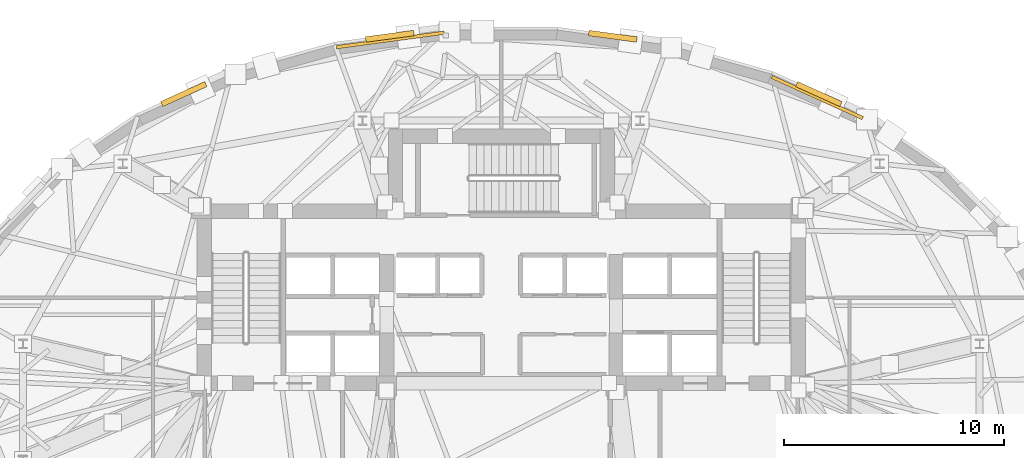
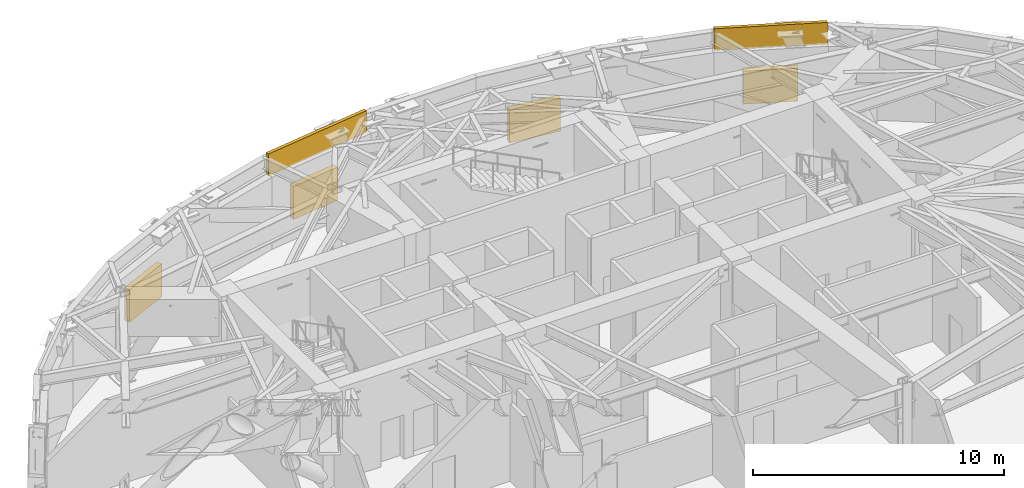
# One storey, part 13 of 13: 4 shading devices, 2 coverings.
"""IFC4 building model written with IfcOpenShell, lengths in metres."""

from ifc_helpers import new_model, si_unit, direction, frame, origin, origin_2d, place, context, subcontext, project, spatial, rectangle, extrude, material, layer, layer_set, type_object, element, save


model = new_model("IFC4")

# Units and contexts
model_context = context("Model", 3, precision=1e-05, world=origin(), true_north=direction((0.0, 1.0)))
body_context = subcontext(model_context, "Body", "Model", "MODEL_VIEW")
ifc_project = project(units=[si_unit("LENGTHUNIT", "METRE"), si_unit("AREAUNIT", "SQUARE_METRE"), si_unit("VOLUMEUNIT", "CUBIC_METRE"), si_unit("PLANEANGLEUNIT", "RADIAN"), si_unit("MASSUNIT", "GRAM", prefix="KILO")], contexts=[model_context])

# Site, building, storey
site_placement = place(None, origin())
site = spatial("IfcSite", under=ifc_project, at=site_placement, CompositionType="ELEMENT")
building_placement = place(site_placement, origin())
building = spatial("IfcBuilding", under=site, at=building_placement, Name="Keldmark Tower", CompositionType="ELEMENT")
storey_placement = place(building_placement, frame((0.0, 0.0, 135.10009765625)))
storey = spatial("IfcBuildingStorey", under=building, at=storey_placement, Name="L36", CompositionType="ELEMENT", Elevation=135.10009765625)

# Coverings
ifc_material_1 = material(Name="Honed Kasota Buff Dolomitic Limestone", Category="masonry")
ifc_layer = layer(ifc_material_1, 0.074951171875)
ifc_layer_set = layer_set([ifc_layer], Name="Honed Kasota Buff Dolomitic Limestone")
covering_type = type_object("IfcCoveringType", Name="Kasota Buff Limestone Spandrel Cladding Band", PredefinedType="CLADDING", material=ifc_layer_set)
covering_1_placement = place(storey_placement, frame((14.329833984375, 14.479736328125, 3.421875), z_axis=(0.0, 0.0, 1.0), x_axis=(-0.910950242101, 0.412516249881, 0.0)))
element("IfcCovering", 1, at=covering_1_placement, inside=storey, type_object=covering_type, Name="L36 Kasota Limestone Spandrel Band 05", PredefinedType="CLADDING", context=body_context, shape_type="SweptSolid", body=[
    extrude(rectangle(XDim=4.5322265625, YDim=0.14990234375, at=origin_2d()), origin(), (0.0, 0.0, 1.0), 1.05810546875),
])
covering_2_placement = place(storey_placement, frame((-5.033203125, 17.089111328125, 3.421875), z_axis=(0.0, 0.0, 1.0), x_axis=(-0.991034573663, -0.133605665318, 0.0)))
element("IfcCovering", 2, at=covering_2_placement, inside=storey, type_object=covering_type, Name="L36 Kasota Limestone Spandrel Band 09", PredefinedType="CLADDING", context=body_context, shape_type="SweptSolid", body=[
    extrude(rectangle(XDim=4.92431640625, YDim=0.14990234375, at=origin_2d()), origin(), (0.0, 0.0, 1.0), 1.05810546875),
])

# Shading devices
ifc_material_2 = material(Name="Fluoropolymer-Coated Extruded Aluminum Stormproof Blades", Category="aluminium")
shading_device_type = type_object("IfcShadingDeviceType", Name="Mechanical Floor Acoustic Intake Louvre", PredefinedType="JALOUSIE", material=ifc_material_2)
for number, where, z_axis, x_axis, name in (
    (3, (14.39990234375, 14.634521484375, 0.64990234375), (0.0, 0.0, 1.0), (-0.910950242101, 0.412516249881, 0.0), "L36 Acoustic Stormproof Louvre 05"),
    (4, (5.055908203125, 17.2578125, 0.64990234375), (0.0, 0.0, 1.0), (-0.991034573663, 0.133605665318, 0.0), "L36 Acoustic Stormproof Louvre 07"),
    (5, (-5.055908203125, 17.2578125, 0.64990234375), (0.0, 0.0, 1.0), (-0.991034573663, -0.133605665318, 0.0), "L36 Acoustic Stormproof Louvre 09"),
    (6, (-14.39990234375, 14.634521484375, 0.64990234375), (0.0, 0.0, 1.0), (-0.910950242101, -0.412516249881, 0.0), "L36 Acoustic Stormproof Louvre 11"),
):
    element("IfcShadingDevice", number, at=place(storey_placement, frame(where, z_axis=z_axis, x_axis=x_axis)), inside=storey, type_object=shading_device_type, Name=name, PredefinedType="JALOUSIE", context=body_context, shape_type="SweptSolid", body=[
        extrude(rectangle(XDim=2.199951171875, YDim=0.25, at=origin_2d()), origin(), (0.0, 0.0, 1.0), 1.60009765625),
    ])

save(model, "model.ifc")
